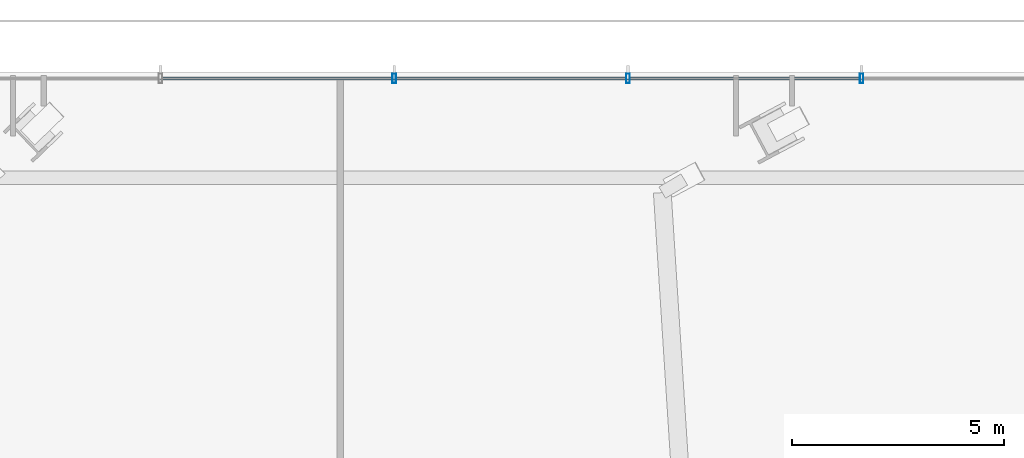
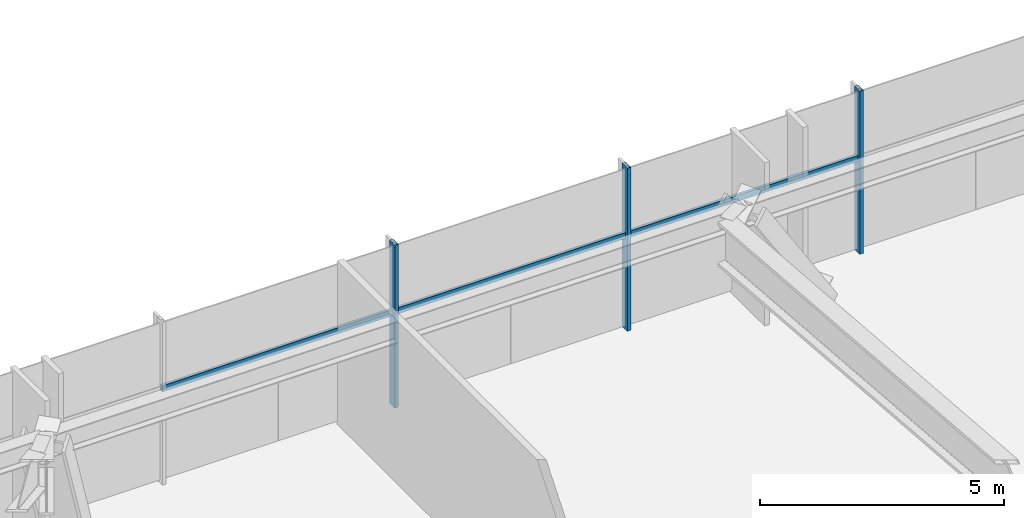
# One storey, part 18 of 33: 6 members, 1 element without a shape of its own.
"""IFC4 building model written with IfcOpenShell, lengths in metres."""

from ifc_helpers import new_model, si_unit, direction, frame, origin, origin_2d, place, context, subcontext, project, spatial, hollow_rectangle, extrude, source, transform, mapped, material, material_profile, profile_set, type_object, type_shapes, element, aggregate, save


model = new_model("IFC4")

# Units and contexts
model_context = context("Model", 3, precision=1e-05, world=origin(), true_north=direction((0.0, 1.0)))
body_context = subcontext(model_context, "Body", "Model", "MODEL_VIEW")
ifc_project = project(units=[si_unit("LENGTHUNIT", "METRE"), si_unit("AREAUNIT", "SQUARE_METRE"), si_unit("VOLUMEUNIT", "CUBIC_METRE"), si_unit("PLANEANGLEUNIT", "RADIAN"), si_unit("MASSUNIT", "GRAM", prefix="KILO")], contexts=[model_context])

# Site, building, storey
site_placement = place(None, origin())
site = spatial("IfcSite", under=ifc_project, at=site_placement, CompositionType="ELEMENT")
building_placement = place(site_placement, origin())
building = spatial("IfcBuilding", under=site, at=building_placement, Name="Astriad Promenade Condominiums", CompositionType="ELEMENT")
storey_placement = place(building_placement, frame((0.0, 0.0, 9.5)))
storey = spatial("IfcBuildingStorey", under=building, at=storey_placement, Name="L02", CompositionType="ELEMENT", Elevation=9.5)

# Curtain wall, members
ifc_material_1 = material(Name="Anodised aluminium Black Dark Glass Unitised", Category="aluminium")
curtain_wall_type = type_object("IfcCurtainWallType", Name="CW-POD-DARK", PredefinedType="USERDEFINED", material=ifc_material_1)
curtain_wall_placement = place(storey_placement, origin())
curtain_wall = element("IfcCurtainWall", 1, at=curtain_wall_placement, inside=storey, type_object=curtain_wall_type, Name="CW-L02-N", ObjectType="UNITISED_CURTAIN_WALL", PredefinedType="USERDEFINED")
ifc_material_2 = material(Name="Anodised aluminium 6063-T6 Black", Category="aluminium")
ifc_material_profile_1 = material_profile(ifc_material_2, hollow_rectangle(XDim=0.0849609375, YDim=0.219970703125, WallThickness=0.0048828125, at=origin_2d()), Name="ALU-MUL-85X220")
ifc_profile_set_1 = profile_set([ifc_material_profile_1], Name="Anodised aluminium 6063-T6 Black")
member_type_1 = type_object("IfcMemberType", Name="MUL-ALU-MUL-85X220", PredefinedType="MULLION", material=ifc_profile_set_1)
shared_shape_1 = source(origin(), body_context, "Body", "SweptSolid", [
    extrude(hollow_rectangle(XDim=0.0849609375, YDim=0.219970703125, WallThickness=0.0048828125, at=origin_2d()), origin(), (0.0, 0.0, 1.0), 4.080078125),
])
type_shapes(member_type_1, [shared_shape_1])
member_1_placement = place(storey_placement, frame((47.25, 34.25, 0.0), z_axis=(0.0, 0.0, 1.0), x_axis=(1.0, 0.0, 0.0)))
member_1 = element("IfcMember", 2, at=member_1_placement, type_object=member_type_1, Name="CW-L02-N-MUL-07", PredefinedType="MULLION", context=body_context, shape_type="MappedRepresentation", body=[
    mapped(shared_shape_1, transform((0.0, 0.0, 0.0), scale=1.0)),
])
member_2_placement = place(storey_placement, frame((52.75, 34.25, 0.0), z_axis=(0.0, 0.0, 1.0), x_axis=(1.0, 0.0, 0.0)))
member_2 = element("IfcMember", 3, at=member_2_placement, type_object=member_type_1, Name="CW-L02-N-MUL-08", PredefinedType="MULLION", context=body_context, shape_type="MappedRepresentation", body=[
    mapped(shared_shape_1, transform((0.0, 0.0, 0.0), scale=1.0)),
])
member_3_placement = place(storey_placement, frame((58.25, 34.25, 0.0), z_axis=(0.0, 0.0, 1.0), x_axis=(1.0, 0.0, 0.0)))
member_3 = element("IfcMember", 4, at=member_3_placement, type_object=member_type_1, Name="CW-L02-N-MUL-09", PredefinedType="MULLION", context=body_context, shape_type="MappedRepresentation", body=[
    mapped(shared_shape_1, transform((0.0, 0.0, 0.0), scale=1.0)),
])
ifc_material_profile_2 = material_profile(ifc_material_2, hollow_rectangle(XDim=0.074951171875, YDim=0.14990234375, WallThickness=0.004150390625, at=origin_2d()), Name="ALU-TRN-75X150")
ifc_profile_set_2 = profile_set([ifc_material_profile_2], Name="Anodised aluminium 6063-T6 Black")
member_type_2 = type_object("IfcMemberType", Name="TRN-ALU-TRN-75X150", PredefinedType="USERDEFINED", material=ifc_profile_set_2)
shared_shape_2 = source(origin(), body_context, "Body", "SweptSolid", [
    extrude(hollow_rectangle(XDim=0.074951171875, YDim=0.14990234375, WallThickness=0.004150390625, at=origin_2d()), origin(), (0.0, 0.0, 1.0), 5.5),
])
type_shapes(member_type_2, [shared_shape_2])
member_4_placement = place(storey_placement, frame((41.75, 34.25, 2.35009765625), z_axis=(1.0, 0.0, 0.0), x_axis=(0.0, 1.0, 0.0)))
member_4 = element("IfcMember", 5, at=member_4_placement, type_object=member_type_2, Name="CW-L02-N-TRN-06-0", ObjectType="TRANSOM", PredefinedType="USERDEFINED", context=body_context, shape_type="MappedRepresentation", body=[
    mapped(shared_shape_2, transform((0.0, 0.0, 0.0), scale=1.0)),
])
member_5_placement = place(storey_placement, frame((47.25, 34.25, 2.35009765625), z_axis=(1.0, 0.0, 0.0), x_axis=(0.0, 1.0, 0.0)))
member_5 = element("IfcMember", 6, at=member_5_placement, type_object=member_type_2, Name="CW-L02-N-TRN-07-0", ObjectType="TRANSOM", PredefinedType="USERDEFINED", context=body_context, shape_type="MappedRepresentation", body=[
    mapped(shared_shape_2, transform((0.0, 0.0, 0.0), scale=1.0)),
])
member_6_placement = place(storey_placement, frame((52.75, 34.25, 2.35009765625), z_axis=(1.0, 0.0, 0.0), x_axis=(0.0, 1.0, 0.0)))
member_6 = element("IfcMember", 7, at=member_6_placement, type_object=member_type_2, Name="CW-L02-N-TRN-08-0", ObjectType="TRANSOM", PredefinedType="USERDEFINED", context=body_context, shape_type="MappedRepresentation", body=[
    mapped(shared_shape_2, transform((0.0, 0.0, 0.0), scale=1.0)),
])
aggregate(curtain_wall, [member_1, member_2, member_3, member_4, member_5, member_6])

save(model, "model.ifc")
